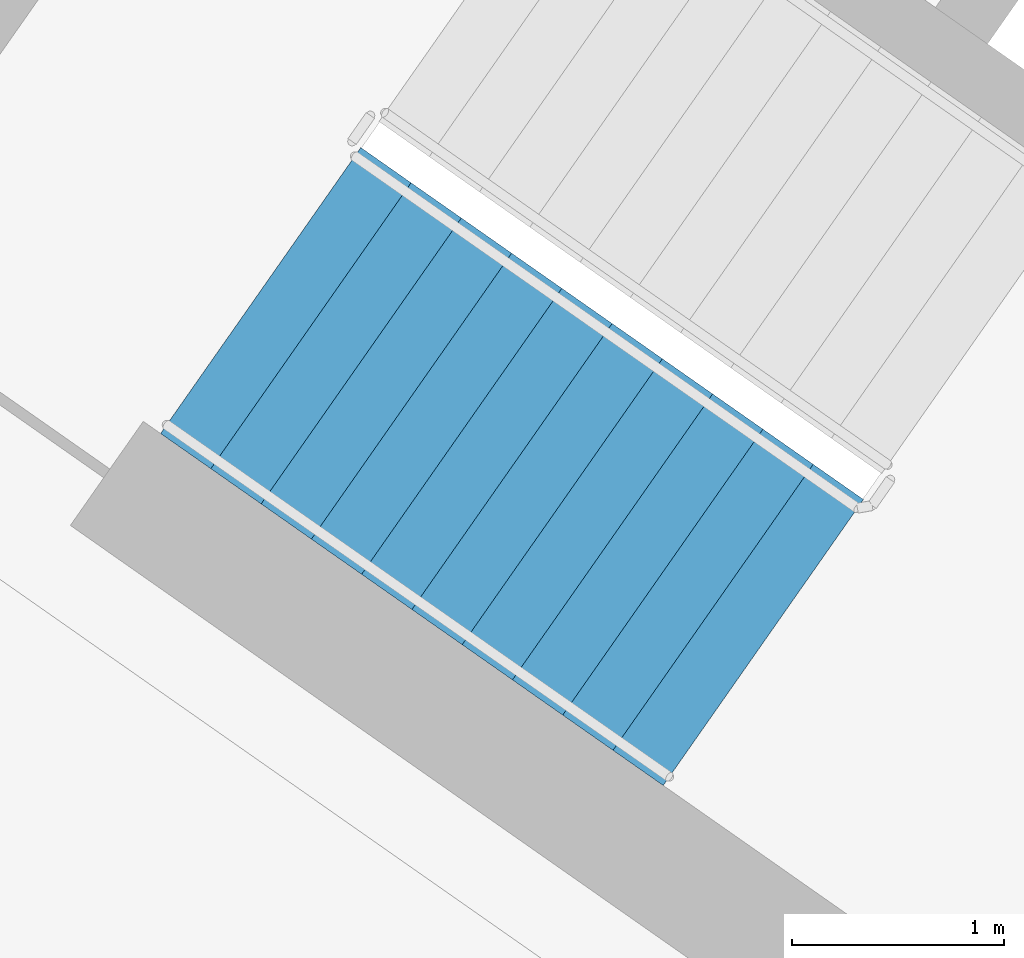
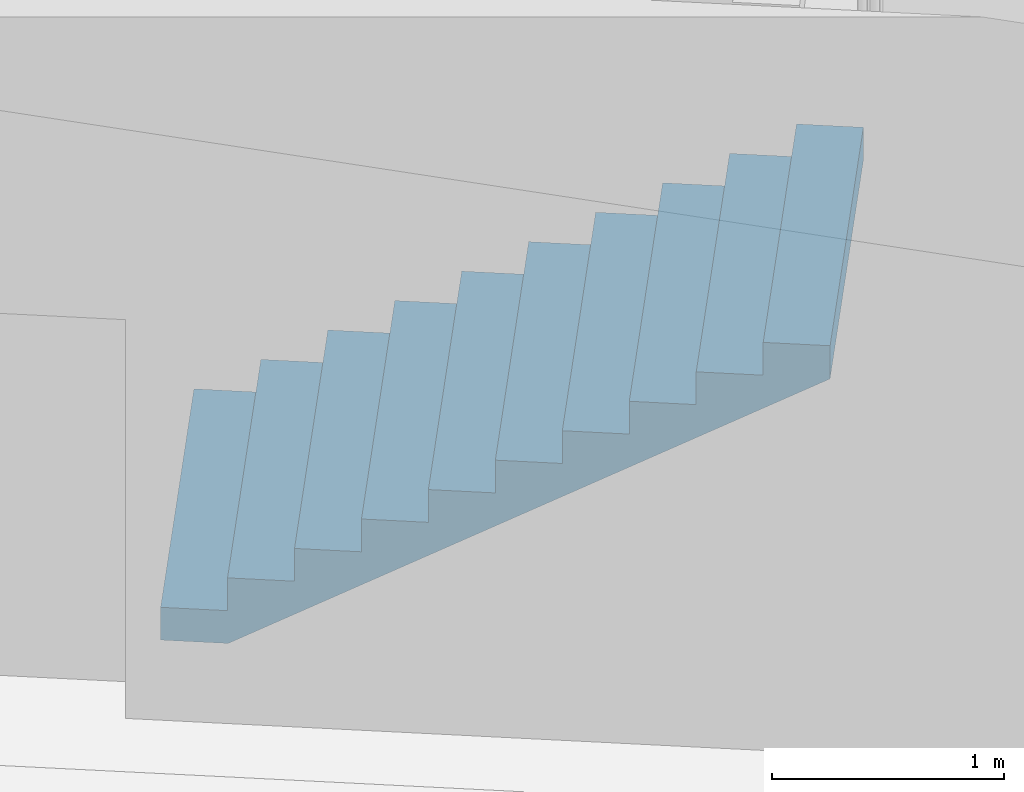
# One storey, part 9 of 28: 1 stair flight, 1 element without a shape of its own.
"""IFC4 building model written with IfcOpenShell, lengths in metres."""

from ifc_helpers import new_model, si_unit, direction, frame, origin, place, context, subcontext, project, spatial, faceted_brep, material, type_object, element, aggregate, save


model = new_model("IFC4")

# Units and contexts
model_context = context("Model", 3, precision=1e-05, world=origin(), true_north=direction((0.0, 1.0)))
body_context = subcontext(model_context, "Body", "Model", "MODEL_VIEW")
ifc_project = project(units=[si_unit("LENGTHUNIT", "METRE"), si_unit("AREAUNIT", "SQUARE_METRE"), si_unit("VOLUMEUNIT", "CUBIC_METRE"), si_unit("PLANEANGLEUNIT", "RADIAN"), si_unit("MASSUNIT", "GRAM", prefix="KILO")], contexts=[model_context])

# Site, building, storey
site_placement = place(None, origin())
site = spatial("IfcSite", under=ifc_project, at=site_placement, CompositionType="ELEMENT")
building_placement = place(site_placement, origin())
building = spatial("IfcBuilding", under=site, at=building_placement, Name="Qamariyya Broadcast Tower", CompositionType="ELEMENT")
storey_placement = place(building_placement, frame((0.0, 0.0, 245.5)))
storey = spatial("IfcBuildingStorey", under=building, at=storey_placement, Name="L59", CompositionType="ELEMENT", Elevation=245.5)

# Stair, stair flight
ifc_material = material(Name="Concrete C50/60", Category="concrete")
stair_type = type_object("IfcStairType", Name="Exit stair 22 risers of 173 mm", PredefinedType="HALF_TURN_STAIR", material=ifc_material)
stair_placement = place(storey_placement, origin())
stair = element("IfcStair", 1, at=stair_placement, inside=storey, type_object=stair_type, Name="L59 Stair W1", PredefinedType="HALF_TURN_STAIR")
stair_flight_type = type_object("IfcStairFlightType", Name="Exit stair flight 11 risers of 173 mm", PredefinedType="STRAIGHT", material=ifc_material)
stair_flight_placement = place(storey_placement, frame((-47.06884765625, -56.982666015625, 0.0), z_axis=(0.0, 0.0, 1.0), x_axis=(0.819152044289, -0.573576436351, 0.0)))
stair_flight = element("IfcStairFlight", 2, at=stair_flight_placement, type_object=stair_flight_type, Name="ST-W1 flight 1", NumberOfRisers=11, NumberOfTreads=10, PredefinedType="STRAIGHT", RiserHeight=0.172727273, TreadLength=0.29, context=body_context, shape_type="Brep", body=[
    faceted_brep([(0.0, 0.824951171875, 0.0), (0.0, 0.824951171875, 0.172607421875), (0.2900390625, 0.824951171875, 0.172607421875), (0.2900390625, 0.824951171875, 0.345458984375), (0.580078125, 0.824951171875, 0.345458984375), (0.580078125, 0.824951171875, 0.51806640625), (0.8701171875, 0.824951171875, 0.51806640625), (0.8701171875, 0.824951171875, 0.69091796875), (1.159912109375, 0.824951171875, 0.69091796875), (1.159912109375, 0.824951171875, 0.863525390625), (1.449951171875, 0.824951171875, 0.863525390625), (1.449951171875, 0.824951171875, 1.036376953125), (1.739990234375, 0.824951171875, 1.036376953125), (1.739990234375, 0.824951171875, 1.208984375), (2.030029296875, 0.824951171875, 1.208984375), (2.030029296875, 0.824951171875, 1.3818359375), (2.320068359375, 0.824951171875, 1.3818359375), (2.320068359375, 0.824951171875, 1.554443359375), (2.610107421875, 0.824951171875, 1.554443359375), (2.610107421875, 0.824951171875, 1.727294921875), (2.89990234375, 0.824951171875, 1.727294921875), (2.89990234375, 0.824951171875, 1.552734375), (0.29296875, 0.824951171875, 0.0), (0.29296875, -0.824951171875, 0.0), (2.89990234375, -0.824951171875, 1.552734375), (2.89990234375, -0.824951171875, 1.727294921875), (2.610107421875, -0.824951171875, 1.727294921875), (2.610107421875, -0.824951171875, 1.554443359375), (2.320068359375, -0.824951171875, 1.554443359375), (2.320068359375, -0.824951171875, 1.3818359375), (2.030029296875, -0.824951171875, 1.3818359375), (2.030029296875, -0.824951171875, 1.208984375), (1.739990234375, -0.824951171875, 1.208984375), (1.739990234375, -0.824951171875, 1.036376953125), (1.449951171875, -0.824951171875, 1.036376953125), (1.449951171875, -0.824951171875, 0.863525390625), (1.159912109375, -0.824951171875, 0.863525390625), (1.159912109375, -0.824951171875, 0.69091796875), (0.8701171875, -0.824951171875, 0.69091796875), (0.8701171875, -0.824951171875, 0.51806640625), (0.580078125, -0.824951171875, 0.51806640625), (0.580078125, -0.824951171875, 0.345458984375), (0.2900390625, -0.824951171875, 0.345458984375), (0.2900390625, -0.824951171875, 0.172607421875), (0.0, -0.824951171875, 0.172607421875), (0.0, -0.824951171875, 0.0), (0.0, 0.10009765625, 0.0), (0.0, 0.086669921875, 0.0), (0.0, 0.0732421875, 0.0), (0.0, 0.06005859375, 0.0), (0.0, 0.046630859375, 0.0), (0.0, 0.033447265625, 0.0), (0.0, 0.02001953125, 0.0), (0.0, 0.006591796875, 0.0), (0.0, -0.006591796875, 0.0), (0.0, -0.02001953125, 0.0), (0.0, -0.033447265625, 0.0), (0.0, -0.046630859375, 0.0), (0.0, -0.06005859375, 0.0), (0.0, -0.0732421875, 0.0), (0.0, -0.086669921875, 0.0), (0.0, -0.10009765625, 0.0), (0.0, -0.10009765625, 0.172607421875), (0.0, -0.086669921875, 0.172607421875), (0.0, -0.0732421875, 0.172607421875), (0.0, -0.06005859375, 0.172607421875), (0.0, -0.046630859375, 0.172607421875), (0.0, -0.033447265625, 0.172607421875), (0.0, -0.02001953125, 0.172607421875), (0.0, -0.006591796875, 0.172607421875), (0.0, 0.006591796875, 0.172607421875), (0.0, 0.02001953125, 0.172607421875), (0.0, 0.033447265625, 0.172607421875), (0.0, 0.046630859375, 0.172607421875), (0.0, 0.06005859375, 0.172607421875), (0.0, 0.0732421875, 0.172607421875), (0.0, 0.086669921875, 0.172607421875), (0.0, 0.10009765625, 0.172607421875), (0.2900390625, -0.10009765625, 0.172607421875), (0.2900390625, -0.086669921875, 0.172607421875), (0.2900390625, -0.0732421875, 0.172607421875), (0.2900390625, -0.06005859375, 0.172607421875), (0.2900390625, -0.046630859375, 0.172607421875), (0.2900390625, -0.033447265625, 0.172607421875), (0.2900390625, -0.02001953125, 0.172607421875), (0.2900390625, -0.006591796875, 0.172607421875), (0.2900390625, 0.006591796875, 0.172607421875), (0.2900390625, 0.02001953125, 0.172607421875), (0.2900390625, 0.033447265625, 0.172607421875), (0.2900390625, 0.046630859375, 0.172607421875), (0.2900390625, 0.06005859375, 0.172607421875), (0.2900390625, 0.0732421875, 0.172607421875), (0.2900390625, 0.086669921875, 0.172607421875), (0.2900390625, 0.10009765625, 0.172607421875), (0.2900390625, -0.10009765625, 0.345458984375), (0.2900390625, -0.086669921875, 0.345458984375), (0.2900390625, -0.0732421875, 0.345458984375), (0.2900390625, -0.06005859375, 0.345458984375), (0.2900390625, -0.046630859375, 0.345458984375), (0.2900390625, -0.033447265625, 0.345458984375), (0.2900390625, -0.02001953125, 0.345458984375), (0.2900390625, -0.006591796875, 0.345458984375), (0.2900390625, 0.006591796875, 0.345458984375), (0.2900390625, 0.02001953125, 0.345458984375), (0.2900390625, 0.033447265625, 0.345458984375), (0.2900390625, 0.046630859375, 0.345458984375), (0.2900390625, 0.06005859375, 0.345458984375), (0.2900390625, 0.0732421875, 0.345458984375), (0.2900390625, 0.086669921875, 0.345458984375), (0.2900390625, 0.10009765625, 0.345458984375), (0.580078125, -0.10009765625, 0.345458984375), (0.580078125, -0.086669921875, 0.345458984375), (0.580078125, -0.0732421875, 0.345458984375), (0.580078125, -0.06005859375, 0.345458984375), (0.580078125, -0.046630859375, 0.345458984375), (0.580078125, -0.033447265625, 0.345458984375), (0.580078125, -0.02001953125, 0.345458984375), (0.580078125, -0.006591796875, 0.345458984375), (0.580078125, 0.006591796875, 0.345458984375), (0.580078125, 0.02001953125, 0.345458984375), (0.580078125, 0.033447265625, 0.345458984375), (0.580078125, 0.046630859375, 0.345458984375), (0.580078125, 0.06005859375, 0.345458984375), (0.580078125, 0.0732421875, 0.345458984375), (0.580078125, 0.086669921875, 0.345458984375), (0.580078125, 0.10009765625, 0.345458984375), (0.580078125, -0.10009765625, 0.51806640625), (0.580078125, -0.086669921875, 0.51806640625), (0.580078125, -0.0732421875, 0.51806640625), (0.580078125, -0.06005859375, 0.51806640625), (0.580078125, -0.046630859375, 0.51806640625), (0.580078125, -0.033447265625, 0.51806640625), (0.580078125, -0.02001953125, 0.51806640625), (0.580078125, -0.006591796875, 0.51806640625), (0.580078125, 0.006591796875, 0.51806640625), (0.580078125, 0.02001953125, 0.51806640625), (0.580078125, 0.033447265625, 0.51806640625), (0.580078125, 0.046630859375, 0.51806640625), (0.580078125, 0.06005859375, 0.51806640625), (0.580078125, 0.0732421875, 0.51806640625), (0.580078125, 0.086669921875, 0.51806640625), (0.580078125, 0.10009765625, 0.51806640625), (0.8701171875, -0.10009765625, 0.51806640625), (0.8701171875, -0.086669921875, 0.51806640625), (0.8701171875, -0.0732421875, 0.51806640625), (0.8701171875, -0.06005859375, 0.51806640625), (0.8701171875, -0.046630859375, 0.51806640625), (0.8701171875, -0.033447265625, 0.51806640625), (0.8701171875, -0.02001953125, 0.51806640625), (0.8701171875, -0.006591796875, 0.51806640625), (0.8701171875, 0.006591796875, 0.51806640625), (0.8701171875, 0.02001953125, 0.51806640625), (0.8701171875, 0.033447265625, 0.51806640625), (0.8701171875, 0.046630859375, 0.51806640625), (0.8701171875, 0.06005859375, 0.51806640625), (0.8701171875, 0.0732421875, 0.51806640625), (0.8701171875, 0.086669921875, 0.51806640625), (0.8701171875, 0.10009765625, 0.51806640625), (0.8701171875, -0.10009765625, 0.69091796875), (0.8701171875, -0.086669921875, 0.69091796875), (0.8701171875, -0.0732421875, 0.69091796875), (0.8701171875, -0.06005859375, 0.69091796875), (0.8701171875, -0.046630859375, 0.69091796875), (0.8701171875, -0.033447265625, 0.69091796875), (0.8701171875, -0.02001953125, 0.69091796875), (0.8701171875, -0.006591796875, 0.69091796875), (0.8701171875, 0.006591796875, 0.69091796875), (0.8701171875, 0.02001953125, 0.69091796875), (0.8701171875, 0.033447265625, 0.69091796875), (0.8701171875, 0.046630859375, 0.69091796875), (0.8701171875, 0.06005859375, 0.69091796875), (0.8701171875, 0.0732421875, 0.69091796875), (0.8701171875, 0.086669921875, 0.69091796875), (0.8701171875, 0.10009765625, 0.69091796875), (1.159912109375, -0.10009765625, 0.69091796875), (1.159912109375, -0.086669921875, 0.69091796875), (1.159912109375, -0.0732421875, 0.69091796875), (1.159912109375, -0.06005859375, 0.69091796875), (1.159912109375, -0.046630859375, 0.69091796875), (1.159912109375, -0.033447265625, 0.69091796875), (1.159912109375, -0.02001953125, 0.69091796875), (1.159912109375, -0.006591796875, 0.69091796875), (1.159912109375, 0.006591796875, 0.69091796875), (1.159912109375, 0.02001953125, 0.69091796875), (1.159912109375, 0.033447265625, 0.69091796875), (1.159912109375, 0.046630859375, 0.69091796875), (1.159912109375, 0.06005859375, 0.69091796875), (1.159912109375, 0.0732421875, 0.69091796875), (1.159912109375, 0.086669921875, 0.69091796875), (1.159912109375, 0.10009765625, 0.69091796875), (1.159912109375, -0.10009765625, 0.863525390625), (1.159912109375, -0.086669921875, 0.863525390625), (1.159912109375, -0.0732421875, 0.863525390625), (1.159912109375, -0.06005859375, 0.863525390625), (1.159912109375, -0.046630859375, 0.863525390625), (1.159912109375, -0.033447265625, 0.863525390625), (1.159912109375, -0.02001953125, 0.863525390625), (1.159912109375, -0.006591796875, 0.863525390625), (1.159912109375, 0.006591796875, 0.863525390625), (1.159912109375, 0.02001953125, 0.863525390625), (1.159912109375, 0.033447265625, 0.863525390625), (1.159912109375, 0.046630859375, 0.863525390625), (1.159912109375, 0.06005859375, 0.863525390625), (1.159912109375, 0.0732421875, 0.863525390625), (1.159912109375, 0.086669921875, 0.863525390625), (1.159912109375, 0.10009765625, 0.863525390625), (1.449951171875, -0.10009765625, 0.863525390625), (1.449951171875, -0.086669921875, 0.863525390625), (1.449951171875, -0.0732421875, 0.863525390625), (1.449951171875, -0.06005859375, 0.863525390625), (1.449951171875, -0.046630859375, 0.863525390625), (1.449951171875, -0.033447265625, 0.863525390625), (1.449951171875, -0.02001953125, 0.863525390625), (1.449951171875, -0.006591796875, 0.863525390625), (1.449951171875, 0.006591796875, 0.863525390625), (1.449951171875, 0.02001953125, 0.863525390625), (1.449951171875, 0.033447265625, 0.863525390625), (1.449951171875, 0.046630859375, 0.863525390625), (1.449951171875, 0.06005859375, 0.863525390625), (1.449951171875, 0.0732421875, 0.863525390625), (1.449951171875, 0.086669921875, 0.863525390625), (1.449951171875, 0.10009765625, 0.863525390625), (1.449951171875, -0.10009765625, 1.036376953125), (1.449951171875, -0.086669921875, 1.036376953125), (1.449951171875, -0.0732421875, 1.036376953125), (1.449951171875, -0.06005859375, 1.036376953125), (1.449951171875, -0.046630859375, 1.036376953125), (1.449951171875, -0.033447265625, 1.036376953125), (1.449951171875, -0.02001953125, 1.036376953125), (1.449951171875, -0.006591796875, 1.036376953125), (1.449951171875, 0.006591796875, 1.036376953125), (1.449951171875, 0.02001953125, 1.036376953125), (1.449951171875, 0.033447265625, 1.036376953125), (1.449951171875, 0.046630859375, 1.036376953125), (1.449951171875, 0.06005859375, 1.036376953125), (1.449951171875, 0.0732421875, 1.036376953125), (1.449951171875, 0.086669921875, 1.036376953125), (1.449951171875, 0.10009765625, 1.036376953125), (1.739990234375, -0.10009765625, 1.036376953125), (1.739990234375, -0.086669921875, 1.036376953125), (1.739990234375, -0.0732421875, 1.036376953125), (1.739990234375, -0.06005859375, 1.036376953125), (1.739990234375, -0.046630859375, 1.036376953125), (1.739990234375, -0.033447265625, 1.036376953125), (1.739990234375, -0.02001953125, 1.036376953125), (1.739990234375, -0.006591796875, 1.036376953125), (1.739990234375, 0.006591796875, 1.036376953125), (1.739990234375, 0.02001953125, 1.036376953125), (1.739990234375, 0.033447265625, 1.036376953125), (1.739990234375, 0.046630859375, 1.036376953125), (1.739990234375, 0.06005859375, 1.036376953125), (1.739990234375, 0.0732421875, 1.036376953125), (1.739990234375, 0.086669921875, 1.036376953125), (1.739990234375, 0.10009765625, 1.036376953125), (1.739990234375, -0.10009765625, 1.208984375), (1.739990234375, -0.086669921875, 1.208984375), (1.739990234375, -0.0732421875, 1.208984375), (1.739990234375, -0.06005859375, 1.208984375), (1.739990234375, -0.046630859375, 1.208984375), (1.739990234375, -0.033447265625, 1.208984375), (1.739990234375, -0.02001953125, 1.208984375), (1.739990234375, -0.006591796875, 1.208984375), (1.739990234375, 0.006591796875, 1.208984375), (1.739990234375, 0.02001953125, 1.208984375), (1.739990234375, 0.033447265625, 1.208984375), (1.739990234375, 0.046630859375, 1.208984375), (1.739990234375, 0.06005859375, 1.208984375), (1.739990234375, 0.0732421875, 1.208984375), (1.739990234375, 0.086669921875, 1.208984375), (1.739990234375, 0.10009765625, 1.208984375), (2.030029296875, -0.10009765625, 1.208984375), (2.030029296875, -0.086669921875, 1.208984375), (2.030029296875, -0.0732421875, 1.208984375), (2.030029296875, -0.06005859375, 1.208984375), (2.030029296875, -0.046630859375, 1.208984375), (2.030029296875, -0.033447265625, 1.208984375), (2.030029296875, -0.02001953125, 1.208984375), (2.030029296875, -0.006591796875, 1.208984375), (2.030029296875, 0.006591796875, 1.208984375), (2.030029296875, 0.02001953125, 1.208984375), (2.030029296875, 0.033447265625, 1.208984375), (2.030029296875, 0.046630859375, 1.208984375), (2.030029296875, 0.06005859375, 1.208984375), (2.030029296875, 0.0732421875, 1.208984375), (2.030029296875, 0.086669921875, 1.208984375), (2.030029296875, 0.10009765625, 1.208984375), (2.030029296875, -0.10009765625, 1.3818359375), (2.030029296875, -0.086669921875, 1.3818359375), (2.030029296875, -0.0732421875, 1.3818359375), (2.030029296875, -0.06005859375, 1.3818359375), (2.030029296875, -0.046630859375, 1.3818359375), (2.030029296875, -0.033447265625, 1.3818359375), (2.030029296875, -0.02001953125, 1.3818359375), (2.030029296875, -0.006591796875, 1.3818359375), (2.030029296875, 0.006591796875, 1.3818359375), (2.030029296875, 0.02001953125, 1.3818359375), (2.030029296875, 0.033447265625, 1.3818359375), (2.030029296875, 0.046630859375, 1.3818359375), (2.030029296875, 0.06005859375, 1.3818359375), (2.030029296875, 0.0732421875, 1.3818359375), (2.030029296875, 0.086669921875, 1.3818359375), (2.030029296875, 0.10009765625, 1.3818359375), (2.320068359375, -0.10009765625, 1.3818359375), (2.320068359375, -0.086669921875, 1.3818359375), (2.320068359375, -0.0732421875, 1.3818359375), (2.320068359375, -0.06005859375, 1.3818359375), (2.320068359375, -0.046630859375, 1.3818359375), (2.320068359375, -0.033447265625, 1.3818359375), (2.320068359375, -0.02001953125, 1.3818359375), (2.320068359375, -0.006591796875, 1.3818359375), (2.320068359375, 0.006591796875, 1.3818359375), (2.320068359375, 0.02001953125, 1.3818359375), (2.320068359375, 0.033447265625, 1.3818359375), (2.320068359375, 0.046630859375, 1.3818359375), (2.320068359375, 0.06005859375, 1.3818359375), (2.320068359375, 0.0732421875, 1.3818359375), (2.320068359375, 0.086669921875, 1.3818359375), (2.320068359375, 0.10009765625, 1.3818359375), (2.320068359375, -0.10009765625, 1.554443359375), (2.320068359375, -0.086669921875, 1.554443359375), (2.320068359375, -0.0732421875, 1.554443359375), (2.320068359375, -0.06005859375, 1.554443359375), (2.320068359375, -0.046630859375, 1.554443359375), (2.320068359375, -0.033447265625, 1.554443359375), (2.320068359375, -0.02001953125, 1.554443359375), (2.320068359375, -0.006591796875, 1.554443359375), (2.320068359375, 0.006591796875, 1.554443359375), (2.320068359375, 0.02001953125, 1.554443359375), (2.320068359375, 0.033447265625, 1.554443359375), (2.320068359375, 0.046630859375, 1.554443359375), (2.320068359375, 0.06005859375, 1.554443359375), (2.320068359375, 0.0732421875, 1.554443359375), (2.320068359375, 0.086669921875, 1.554443359375), (2.320068359375, 0.10009765625, 1.554443359375), (2.610107421875, -0.10009765625, 1.554443359375), (2.610107421875, -0.086669921875, 1.554443359375), (2.610107421875, -0.0732421875, 1.554443359375), (2.610107421875, -0.06005859375, 1.554443359375), (2.610107421875, -0.046630859375, 1.554443359375), (2.610107421875, -0.033447265625, 1.554443359375), (2.610107421875, -0.02001953125, 1.554443359375), (2.610107421875, -0.006591796875, 1.554443359375), (2.610107421875, 0.006591796875, 1.554443359375), (2.610107421875, 0.02001953125, 1.554443359375), (2.610107421875, 0.033447265625, 1.554443359375), (2.610107421875, 0.046630859375, 1.554443359375), (2.610107421875, 0.06005859375, 1.554443359375), (2.610107421875, 0.0732421875, 1.554443359375), (2.610107421875, 0.086669921875, 1.554443359375), (2.610107421875, 0.10009765625, 1.554443359375), (2.610107421875, -0.10009765625, 1.727294921875), (2.610107421875, -0.086669921875, 1.727294921875), (2.610107421875, -0.0732421875, 1.727294921875), (2.610107421875, -0.06005859375, 1.727294921875), (2.610107421875, -0.046630859375, 1.727294921875), (2.610107421875, -0.033447265625, 1.727294921875), (2.610107421875, -0.02001953125, 1.727294921875), (2.610107421875, -0.006591796875, 1.727294921875), (2.610107421875, 0.006591796875, 1.727294921875), (2.610107421875, 0.02001953125, 1.727294921875), (2.610107421875, 0.033447265625, 1.727294921875), (2.610107421875, 0.046630859375, 1.727294921875), (2.610107421875, 0.06005859375, 1.727294921875), (2.610107421875, 0.0732421875, 1.727294921875), (2.610107421875, 0.086669921875, 1.727294921875), (2.610107421875, 0.10009765625, 1.727294921875), (2.89990234375, -0.10009765625, 1.727294921875), (2.89990234375, -0.086669921875, 1.727294921875), (2.89990234375, -0.0732421875, 1.727294921875), (2.89990234375, -0.06005859375, 1.727294921875), (2.89990234375, -0.046630859375, 1.727294921875), (2.89990234375, -0.033447265625, 1.727294921875), (2.89990234375, -0.02001953125, 1.727294921875), (2.89990234375, -0.006591796875, 1.727294921875), (2.89990234375, 0.006591796875, 1.727294921875), (2.89990234375, 0.02001953125, 1.727294921875), (2.89990234375, 0.033447265625, 1.727294921875), (2.89990234375, 0.046630859375, 1.727294921875), (2.89990234375, 0.06005859375, 1.727294921875), (2.89990234375, 0.0732421875, 1.727294921875), (2.89990234375, 0.086669921875, 1.727294921875), (2.89990234375, 0.10009765625, 1.727294921875), (2.89990234375, -0.10009765625, 1.552734375), (2.89990234375, -0.086669921875, 1.552734375), (2.89990234375, -0.0732421875, 1.552734375), (2.89990234375, -0.06005859375, 1.552734375), (2.89990234375, -0.046630859375, 1.552734375), (2.89990234375, -0.033447265625, 1.552734375), (2.89990234375, -0.02001953125, 1.552734375), (2.89990234375, -0.006591796875, 1.552734375), (2.89990234375, 0.006591796875, 1.552734375), (2.89990234375, 0.02001953125, 1.552734375), (2.89990234375, 0.033447265625, 1.552734375), (2.89990234375, 0.046630859375, 1.552734375), (2.89990234375, 0.06005859375, 1.552734375), (2.89990234375, 0.0732421875, 1.552734375), (2.89990234375, 0.086669921875, 1.552734375), (2.89990234375, 0.10009765625, 1.552734375), (0.29296875, -0.10009765625, 0.0), (0.29296875, -0.086669921875, 0.0), (0.29296875, -0.0732421875, 0.0), (0.29296875, -0.06005859375, 0.0), (0.29296875, -0.046630859375, 0.0), (0.29296875, -0.033447265625, 0.0), (0.29296875, -0.02001953125, 0.0), (0.29296875, -0.006591796875, 0.0), (0.29296875, 0.006591796875, 0.0), (0.29296875, 0.02001953125, 0.0), (0.29296875, 0.033447265625, 0.0), (0.29296875, 0.046630859375, 0.0), (0.29296875, 0.06005859375, 0.0), (0.29296875, 0.0732421875, 0.0), (0.29296875, 0.086669921875, 0.0), (0.29296875, 0.10009765625, 0.0)], [[[0, 1, 2, 3, 4, 5, 6, 7, 8, 9, 10, 11, 12, 13, 14, 15, 16, 17, 18, 19, 20, 21, 22]], [[23, 24, 25, 26, 27, 28, 29, 30, 31, 32, 33, 34, 35, 36, 37, 38, 39, 40, 41, 42, 43, 44, 45]], [[0, 46, 47, 48, 49, 50, 51, 52, 53, 54, 55, 56, 57, 58, 59, 60, 61, 45, 44, 62, 63, 64, 65, 66, 67, 68, 69, 70, 71, 72, 73, 74, 75, 76, 77, 1]], [[1, 77, 76, 75, 74, 73, 72, 71, 70, 69, 68, 67, 66, 65, 64, 63, 62, 44, 43, 78, 79, 80, 81, 82, 83, 84, 85, 86, 87, 88, 89, 90, 91, 92, 93, 2]], [[2, 93, 92, 91, 90, 89, 88, 87, 86, 85, 84, 83, 82, 81, 80, 79, 78, 43, 42, 94, 95, 96, 97, 98, 99, 100, 101, 102, 103, 104, 105, 106, 107, 108, 109, 3]], [[3, 109, 108, 107, 106, 105, 104, 103, 102, 101, 100, 99, 98, 97, 96, 95, 94, 42, 41, 110, 111, 112, 113, 114, 115, 116, 117, 118, 119, 120, 121, 122, 123, 124, 125, 4]], [[4, 125, 124, 123, 122, 121, 120, 119, 118, 117, 116, 115, 114, 113, 112, 111, 110, 41, 40, 126, 127, 128, 129, 130, 131, 132, 133, 134, 135, 136, 137, 138, 139, 140, 141, 5]], [[5, 141, 140, 139, 138, 137, 136, 135, 134, 133, 132, 131, 130, 129, 128, 127, 126, 40, 39, 142, 143, 144, 145, 146, 147, 148, 149, 150, 151, 152, 153, 154, 155, 156, 157, 6]], [[6, 157, 156, 155, 154, 153, 152, 151, 150, 149, 148, 147, 146, 145, 144, 143, 142, 39, 38, 158, 159, 160, 161, 162, 163, 164, 165, 166, 167, 168, 169, 170, 171, 172, 173, 7]], [[7, 173, 172, 171, 170, 169, 168, 167, 166, 165, 164, 163, 162, 161, 160, 159, 158, 38, 37, 174, 175, 176, 177, 178, 179, 180, 181, 182, 183, 184, 185, 186, 187, 188, 189, 8]], [[8, 189, 188, 187, 186, 185, 184, 183, 182, 181, 180, 179, 178, 177, 176, 175, 174, 37, 36, 190, 191, 192, 193, 194, 195, 196, 197, 198, 199, 200, 201, 202, 203, 204, 205, 9]], [[9, 205, 204, 203, 202, 201, 200, 199, 198, 197, 196, 195, 194, 193, 192, 191, 190, 36, 35, 206, 207, 208, 209, 210, 211, 212, 213, 214, 215, 216, 217, 218, 219, 220, 221, 10]], [[10, 221, 220, 219, 218, 217, 216, 215, 214, 213, 212, 211, 210, 209, 208, 207, 206, 35, 34, 222, 223, 224, 225, 226, 227, 228, 229, 230, 231, 232, 233, 234, 235, 236, 237, 11]], [[11, 237, 236, 235, 234, 233, 232, 231, 230, 229, 228, 227, 226, 225, 224, 223, 222, 34, 33, 238, 239, 240, 241, 242, 243, 244, 245, 246, 247, 248, 249, 250, 251, 252, 253, 12]], [[12, 253, 252, 251, 250, 249, 248, 247, 246, 245, 244, 243, 242, 241, 240, 239, 238, 33, 32, 254, 255, 256, 257, 258, 259, 260, 261, 262, 263, 264, 265, 266, 267, 268, 269, 13]], [[13, 269, 268, 267, 266, 265, 264, 263, 262, 261, 260, 259, 258, 257, 256, 255, 254, 32, 31, 270, 271, 272, 273, 274, 275, 276, 277, 278, 279, 280, 281, 282, 283, 284, 285, 14]], [[14, 285, 284, 283, 282, 281, 280, 279, 278, 277, 276, 275, 274, 273, 272, 271, 270, 31, 30, 286, 287, 288, 289, 290, 291, 292, 293, 294, 295, 296, 297, 298, 299, 300, 301, 15]], [[15, 301, 300, 299, 298, 297, 296, 295, 294, 293, 292, 291, 290, 289, 288, 287, 286, 30, 29, 302, 303, 304, 305, 306, 307, 308, 309, 310, 311, 312, 313, 314, 315, 316, 317, 16]], [[16, 317, 316, 315, 314, 313, 312, 311, 310, 309, 308, 307, 306, 305, 304, 303, 302, 29, 28, 318, 319, 320, 321, 322, 323, 324, 325, 326, 327, 328, 329, 330, 331, 332, 333, 17]], [[17, 333, 332, 331, 330, 329, 328, 327, 326, 325, 324, 323, 322, 321, 320, 319, 318, 28, 27, 334, 335, 336, 337, 338, 339, 340, 341, 342, 343, 344, 345, 346, 347, 348, 349, 18]], [[18, 349, 348, 347, 346, 345, 344, 343, 342, 341, 340, 339, 338, 337, 336, 335, 334, 27, 26, 350, 351, 352, 353, 354, 355, 356, 357, 358, 359, 360, 361, 362, 363, 364, 365, 19]], [[19, 365, 364, 363, 362, 361, 360, 359, 358, 357, 356, 355, 354, 353, 352, 351, 350, 26, 25, 366, 367, 368, 369, 370, 371, 372, 373, 374, 375, 376, 377, 378, 379, 380, 381, 20]], [[20, 381, 380, 379, 378, 377, 376, 375, 374, 373, 372, 371, 370, 369, 368, 367, 366, 25, 24, 382, 383, 384, 385, 386, 387, 388, 389, 390, 391, 392, 393, 394, 395, 396, 397, 21]], [[21, 397, 396, 395, 394, 393, 392, 391, 390, 389, 388, 387, 386, 385, 384, 383, 382, 24, 23, 398, 399, 400, 401, 402, 403, 404, 405, 406, 407, 408, 409, 410, 411, 412, 413, 22]], [[22, 413, 412, 411, 410, 409, 408, 407, 406, 405, 404, 403, 402, 401, 400, 399, 398, 23, 45, 61, 60, 59, 58, 57, 56, 55, 54, 53, 52, 51, 50, 49, 48, 47, 46, 0]]]),
])
aggregate(stair, [stair_flight])

save(model, "model.ifc")
